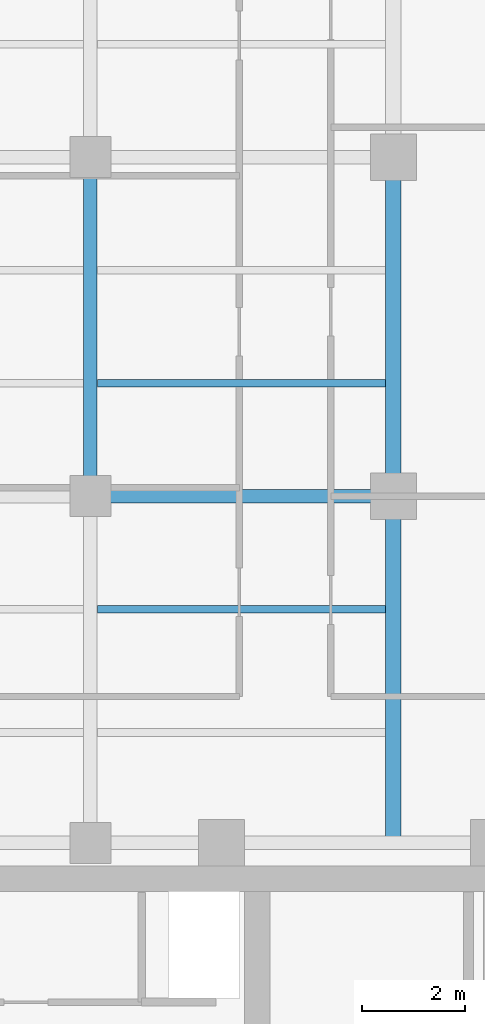
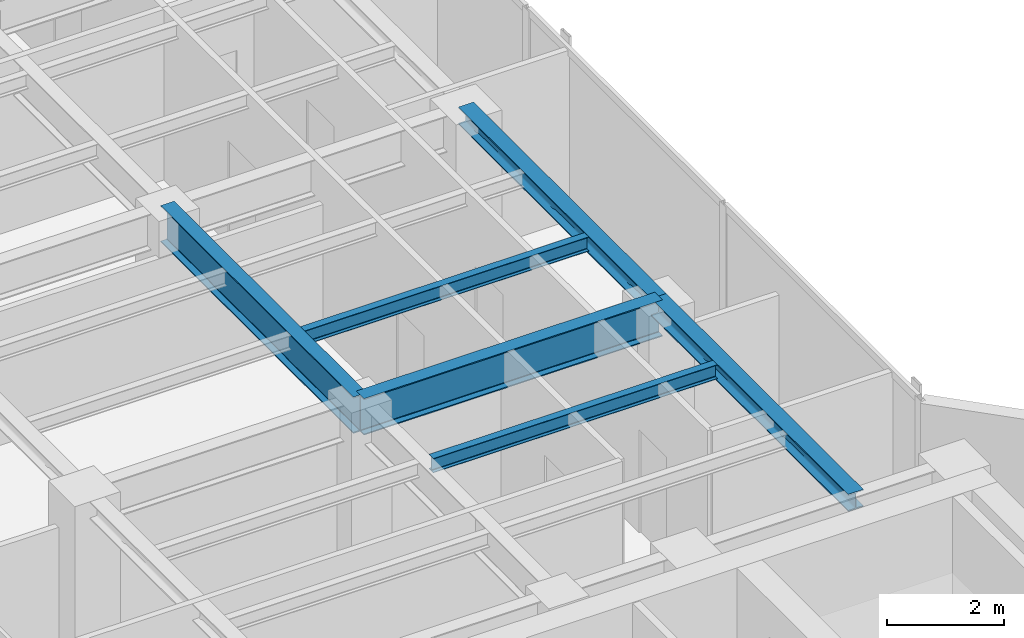
# One storey, part 9 of 22: 6 beams.
"""IFC4 building model written with IfcOpenShell, lengths in metres."""

from ifc_helpers import new_model, si_unit, direction, frame, origin, origin_2d, place, context, subcontext, project, spatial, i_section, extrude, material, material_profile, profile_set, type_object, element, save


model = new_model("IFC4")

# Units and contexts
model_context = context("Model", 3, precision=1e-05, world=origin(), true_north=direction((0.0, 1.0)))
body_context = subcontext(model_context, "Body", "Model", "MODEL_VIEW")
ifc_project = project(units=[si_unit("LENGTHUNIT", "METRE"), si_unit("AREAUNIT", "SQUARE_METRE"), si_unit("VOLUMEUNIT", "CUBIC_METRE"), si_unit("PLANEANGLEUNIT", "RADIAN"), si_unit("MASSUNIT", "GRAM", prefix="KILO")], contexts=[model_context])

# Site, building, storey
site_placement = place(None, origin())
site = spatial("IfcSite", under=ifc_project, at=site_placement, CompositionType="ELEMENT")
building_placement = place(site_placement, origin())
building = spatial("IfcBuilding", under=site, at=building_placement, Name="Kolvaren Waterfront Exchange", CompositionType="ELEMENT")
storey_placement = place(building_placement, frame((0.0, 0.0, 262.800048828125)))
storey = spatial("IfcBuildingStorey", under=building, at=storey_placement, Name="L67", CompositionType="ELEMENT", Elevation=262.800048828125)

# Beams
ifc_material = material(Name="Steel S355", Category="steel")
ifc_material_profile_1 = material_profile(ifc_material, i_section(OverallWidth=0.300048828125, OverallDepth=0.360107421875, WebThickness=0.012451171875, FlangeThickness=0.0224609375, FilletRadius=0.027099609375, at=origin_2d()), Name="HEB360")
ifc_profile_set_1 = profile_set([ifc_material_profile_1], Name="Steel S355")
beam_type_1 = type_object("IfcBeamType", Name="STR-BM-HEB360", PredefinedType="SPANDREL", material=ifc_profile_set_1)
beam_1_placement = place(storey_placement, frame((18.800048828125, 24.449951171875, 3.3798828125), z_axis=(0.0, 1.0, 0.0), x_axis=(-1.0, 0.0, 0.0)))
element("IfcBeam", 1, at=beam_1_placement, inside=storey, type_object=beam_type_1, Name="L67 north-arm edge beam 1", PredefinedType="SPANDREL", context=body_context, shape_type="SweptSolid", body=[
    extrude(i_section(OverallWidth=0.300048828125, OverallDepth=0.360107421875, WebThickness=0.012451171875, FlangeThickness=0.0224609375, FilletRadius=0.027099609375, at=origin_2d()), origin(), (0.0, 0.0, 1.0), 6.75),
])
beam_2_placement = place(storey_placement, frame((18.800048828125, 31.199951171875, 3.3798828125), z_axis=(0.0, 1.0, 0.0), x_axis=(-1.0, 0.0, 0.0)))
element("IfcBeam", 2, at=beam_2_placement, inside=storey, type_object=beam_type_1, Name="L67 north-arm edge beam 2", PredefinedType="SPANDREL", context=body_context, shape_type="SweptSolid", body=[
    extrude(i_section(OverallWidth=0.300048828125, OverallDepth=0.360107421875, WebThickness=0.012451171875, FlangeThickness=0.0224609375, FilletRadius=0.027099609375, at=origin_2d()), origin(), (0.0, 0.0, 1.0), 6.60009765625),
])
ifc_material_profile_2 = material_profile(ifc_material, i_section(OverallWidth=0.14990234375, OverallDepth=0.300048828125, WebThickness=0.007080078125, FlangeThickness=0.0107421875, FilletRadius=0.014892578125, at=origin_2d()), Name="IPE300")
ifc_profile_set_2 = profile_set([ifc_material_profile_2], Name="Steel S355")
beam_type_2 = type_object("IfcBeamType", Name="STR-BM-IPE300", PredefinedType="JOIST", material=ifc_profile_set_2)
for number, where, z_axis, x_axis, name in (
    (3, (13.035400390625, 29.0, 3.409912109375), (1.0, 0.0, 0.0), (0.0, 1.0, 0.0), "L67 north-arm composite joist 2B"),
    (4, (13.035400390625, 33.39990234375, 3.409912109375), (1.0, 0.0, 0.0), (0.0, 1.0, 0.0), "L67 north-arm composite joist 3B"),
):
    element("IfcBeam", number, at=place(storey_placement, frame(where, z_axis=z_axis, x_axis=x_axis)), inside=storey, type_object=beam_type_2, Name=name, PredefinedType="JOIST", context=body_context, shape_type="SweptSolid", body=[
        extrude(i_section(OverallWidth=0.14990234375, OverallDepth=0.300048828125, WebThickness=0.007080078125, FlangeThickness=0.0107421875, FilletRadius=0.014892578125, at=origin_2d()), origin(), (0.0, 0.0, 1.0), 5.612548828125),
    ])
ifc_material_profile_3 = material_profile(ifc_material, i_section(OverallWidth=0.26708984375, OverallDepth=0.761962890625, WebThickness=0.014404296875, FlangeThickness=0.021484375, FilletRadius=0.01708984375, at=origin_2d()), Name="IPE750x173")
ifc_profile_set_3 = profile_set([ifc_material_profile_3], Name="Steel S355")
beam_type_3 = type_object("IfcBeamType", Name="STR-BM-IPE750", PredefinedType="BEAM", material=ifc_profile_set_3)
beam_3_placement = place(storey_placement, frame((12.89990234375, 31.199951171875, 3.178955078125), z_axis=(1.0, 0.0, 0.0), x_axis=(0.0, 1.0, 0.0)))
element("IfcBeam", 5, at=beam_3_placement, inside=storey, type_object=beam_type_3, Name="L67 north-arm girder 2B", PredefinedType="BEAM", context=body_context, shape_type="SweptSolid", body=[
    extrude(i_section(OverallWidth=0.26708984375, OverallDepth=0.761962890625, WebThickness=0.014404296875, FlangeThickness=0.021484375, FilletRadius=0.01708984375, at=origin_2d()), origin(), (0.0, 0.0, 1.0), 5.900146484375),
])
beam_4_placement = place(storey_placement, frame((12.89990234375, 31.199951171875, 3.178955078125), z_axis=(0.0, 1.0, 0.0), x_axis=(-1.0, 0.0, 0.0)))
element("IfcBeam", 6, at=beam_4_placement, inside=storey, type_object=beam_type_3, Name="L67 north-arm edge beam 2", PredefinedType="BEAM", context=body_context, shape_type="SweptSolid", body=[
    extrude(i_section(OverallWidth=0.26708984375, OverallDepth=0.761962890625, WebThickness=0.014404296875, FlangeThickness=0.021484375, FilletRadius=0.01708984375, at=origin_2d()), origin(), (0.0, 0.0, 1.0), 6.60009765625),
])

save(model, "model.ifc")
